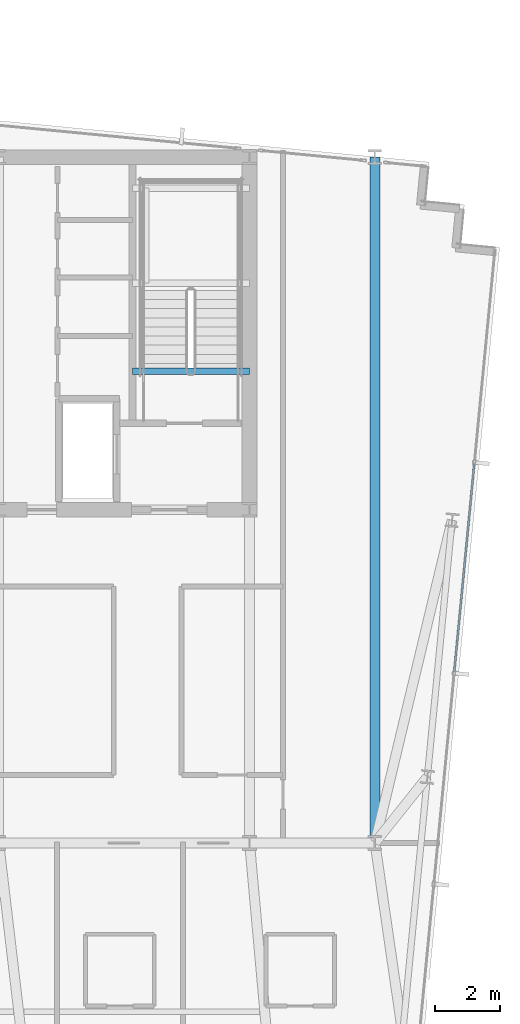
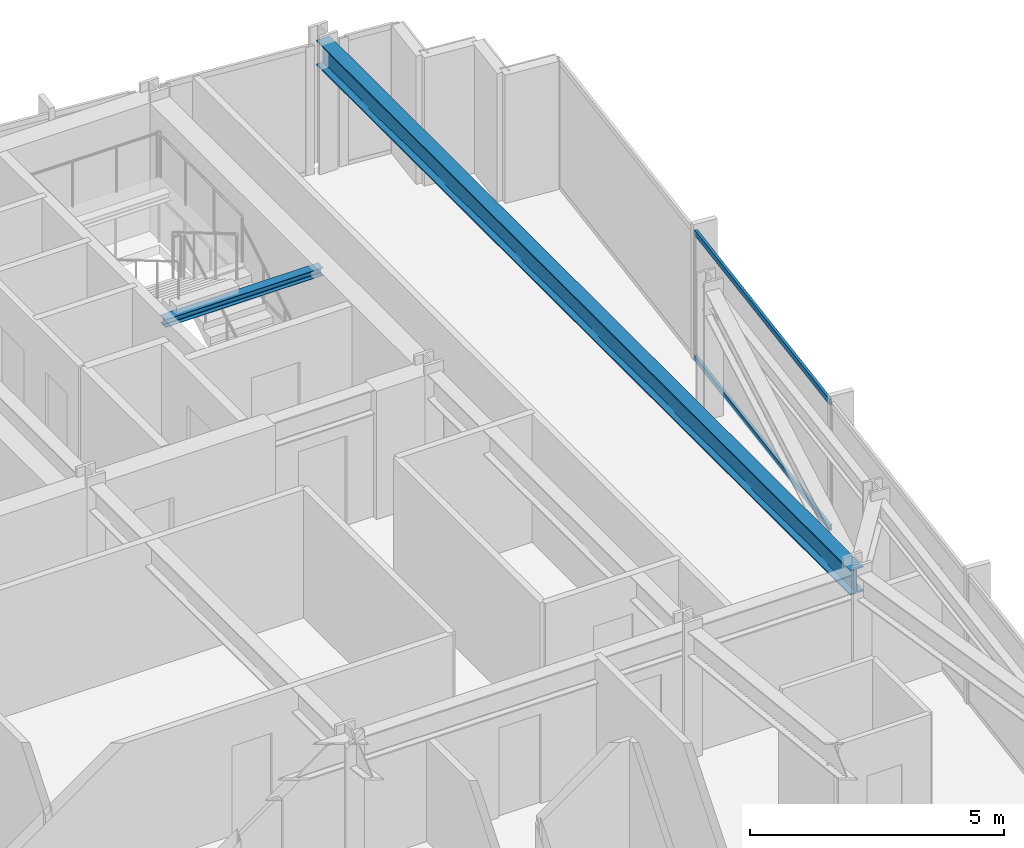
# One storey, part 19 of 37: 2 beams, 2 members, 1 element without a shape of its own.
"""IFC4 building model written with IfcOpenShell, lengths in metres."""

from ifc_helpers import new_model, si_unit, direction, frame, origin, origin_2d, place, context, subcontext, project, spatial, hollow_rectangle, i_section, extrude, material, material_profile, profile_set, type_object, element, aggregate, save


model = new_model("IFC4")

# Units and contexts
model_context = context("Model", 3, precision=1e-05, world=origin(), true_north=direction((0.0, 1.0)))
body_context = subcontext(model_context, "Body", "Model", "MODEL_VIEW")
ifc_project = project(units=[si_unit("LENGTHUNIT", "METRE"), si_unit("AREAUNIT", "SQUARE_METRE"), si_unit("VOLUMEUNIT", "CUBIC_METRE"), si_unit("PLANEANGLEUNIT", "RADIAN"), si_unit("MASSUNIT", "GRAM", prefix="KILO")], contexts=[model_context])

# Site, building, storey
site_placement = place(None, origin())
site = spatial("IfcSite", under=ifc_project, at=site_placement, CompositionType="ELEMENT")
building_placement = place(site_placement, origin())
building = spatial("IfcBuilding", under=site, at=building_placement, Name="Yelkora Congress Tower", CompositionType="ELEMENT")
storey_placement = place(building_placement, frame((0.0, 0.0, 162.199951171875)))
storey = spatial("IfcBuildingStorey", under=building, at=storey_placement, Name="L44", CompositionType="ELEMENT", Elevation=162.199951171875)

# Beams
ifc_material_1 = material(Name="Steel S355J2", Category="steel")
ifc_material_profile_1 = material_profile(ifc_material_1, i_section(OverallWidth=0.300048828125, OverallDepth=0.60009765625, WebThickness=0.015380859375, FlangeThickness=0.030029296875, FilletRadius=0.027099609375, at=origin_2d()), Name="HEB 600")
ifc_profile_set_1 = profile_set([ifc_material_profile_1], Name="Steel S355J2")
beam_type_1 = type_object("IfcBeamType", Name="BM-GIRD-HEB600", PredefinedType="BEAM", material=ifc_profile_set_1)
beam_1_placement = place(storey_placement, frame((57.60009765625, 25.199951171875, 2.780029296875), z_axis=(0.0, 1.0, 0.0), x_axis=(-1.0, 0.0, 0.0)))
element("IfcBeam", 1, at=beam_1_placement, inside=storey, type_object=beam_type_1, Name="L44 Neck Flank Girder MC-F2", PredefinedType="BEAM", context=body_context, shape_type="SweptSolid", body=[
    extrude(i_section(OverallWidth=0.300048828125, OverallDepth=0.60009765625, WebThickness=0.015380859375, FlangeThickness=0.030029296875, FilletRadius=0.027099609375, at=origin_2d()), origin(), (0.0, 0.0, 1.0), 21.0),
])
ifc_material_profile_2 = material_profile(ifc_material_1, i_section(OverallWidth=0.199951171875, OverallDepth=0.18994140625, WebThickness=0.006591796875, FlangeThickness=0.010009765625, FilletRadius=0.01806640625, at=origin_2d()), Name="HEA 200")
ifc_profile_set_2 = profile_set([ifc_material_profile_2], Name="Steel S355J2")
beam_type_2 = type_object("IfcBeamType", Name="BM-LAND-HEA200", PredefinedType="BEAM", material=ifc_profile_set_2)
beam_2_placement = place(storey_placement, frame((50.179931640625, 39.639892578125, 2.85400390625), z_axis=(1.0, 0.0, 0.0), x_axis=(0.0, 1.0, 0.0)))
element("IfcBeam", 2, at=beam_2_placement, inside=storey, type_object=beam_type_2, Name="ST-02 L44 Floor Arrival Stringer Header Beam", PredefinedType="BEAM", context=body_context, shape_type="SweptSolid", body=[
    extrude(i_section(OverallWidth=0.199951171875, OverallDepth=0.18994140625, WebThickness=0.006591796875, FlangeThickness=0.010009765625, FilletRadius=0.01806640625, at=origin_2d()), origin(), (0.0, 0.0, 1.0), 3.580078125),
])

# Curtain wall, members
ifc_material_2 = material(Name="Anodised aluminium and insulated glass", Category="aluminium")
curtain_wall_type = type_object("IfcCurtainWallType", Name="CW-SYS-B3", PredefinedType="NOTDEFINED", material=ifc_material_2)
curtain_wall_placement = place(storey_placement, origin())
curtain_wall = element("IfcCurtainWall", 3, at=curtain_wall_placement, inside=storey, type_object=curtain_wall_type, Name="L44 Unitised Curtain Wall 15", PredefinedType="NOTDEFINED")
ifc_material_3 = material(Name="Anodised aluminium 6063-T6", Category="aluminium")
ifc_material_profile_3 = material_profile(ifc_material_3, hollow_rectangle(XDim=0.06005859375, YDim=0.1298828125, WallThickness=0.00390625, at=origin_2d()), Name="ALU 60x130x4")
ifc_profile_set_3 = profile_set([ifc_material_profile_3], Name="Anodised aluminium 6063-T6")
member_type = type_object("IfcMemberType", Name="MEM-TR-B3", PredefinedType="USERDEFINED", material=ifc_profile_set_3)
member_1_placement = place(storey_placement, frame((60.642822265625, 36.81494140625, 0.030029296875), z_axis=(-0.095843682057, -0.995396397728, 0.0), x_axis=(0.995396397728, -0.095843682057, 0.0)))
member_1 = element("IfcMember", 4, at=member_1_placement, type_object=member_type, Name="CW-B3 transom 2.1", ObjectType="TRANSOM", PredefinedType="USERDEFINED", context=body_context, shape_type="SweptSolid", body=[
    extrude(hollow_rectangle(XDim=0.06005859375, YDim=0.1298828125, WallThickness=0.00390625, at=origin_2d()), origin(), (0.0, 0.0, 1.0), 6.4140625),
])
member_2_placement = place(storey_placement, frame((60.642822265625, 36.81494140625, 3.050048828125), z_axis=(-0.095843682057, -0.995396397728, 0.0), x_axis=(0.995396397728, -0.095843682057, 0.0)))
member_2 = element("IfcMember", 5, at=member_2_placement, type_object=member_type, Name="CW-B3 transom 2.2", ObjectType="TRANSOM", PredefinedType="USERDEFINED", context=body_context, shape_type="SweptSolid", body=[
    extrude(hollow_rectangle(XDim=0.06005859375, YDim=0.1298828125, WallThickness=0.00390625, at=origin_2d()), origin(), (0.0, 0.0, 1.0), 6.4140625),
])
aggregate(curtain_wall, [member_1, member_2])

save(model, "model.ifc")
